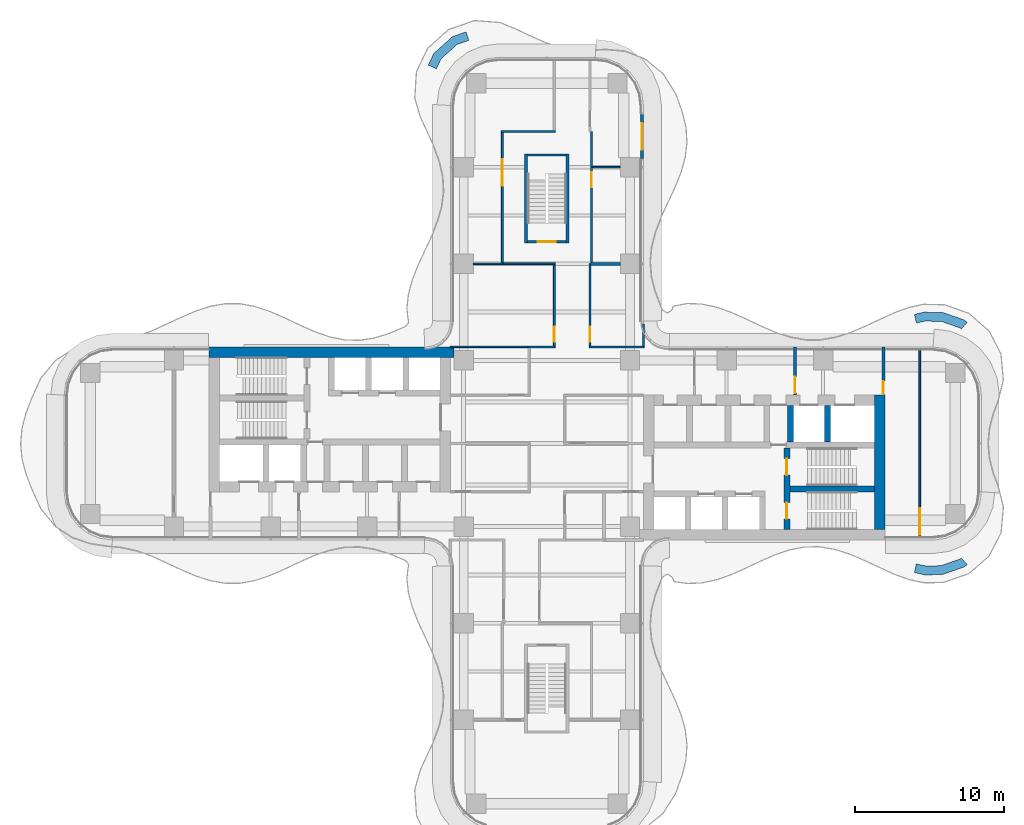
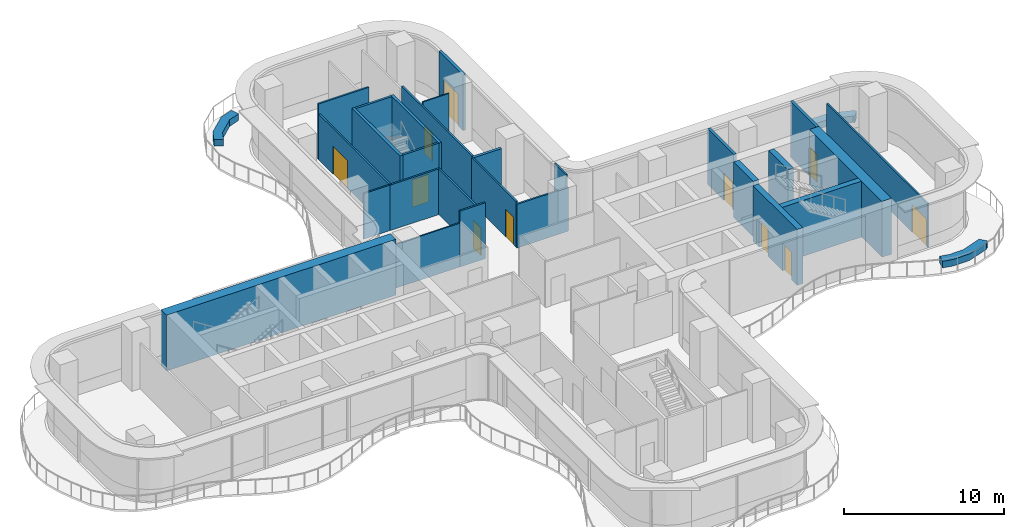
# One storey, part 17 of 20: 30 walls, 11 doors, 11 openings.
"""IFC4 building model written with IfcOpenShell, lengths in metres."""

from ifc_helpers import new_model, si_unit, direction, frame, frame_2d, origin, place, context, subcontext, project, spatial, polyline, rectangle, outline, extrude, source, transform, mapped, material, layer, layer_set, type_object, element, fill, save


model = new_model("IFC4")

# Units and contexts
model_context = context("Model", 3, precision=1e-05, world=origin(), true_north=direction((0.0, 1.0)))
body_context = subcontext(model_context, "Body", "Model", "MODEL_VIEW")
ifc_project = project(units=[si_unit("LENGTHUNIT", "METRE"), si_unit("AREAUNIT", "SQUARE_METRE"), si_unit("VOLUMEUNIT", "CUBIC_METRE"), si_unit("PLANEANGLEUNIT", "RADIAN"), si_unit("MASSUNIT", "GRAM", prefix="KILO")], contexts=[model_context])

# Site, building, storey
site_placement = place(None, origin())
site = spatial("IfcSite", under=ifc_project, at=site_placement, CompositionType="ELEMENT")
building_placement = place(site_placement, origin())
building = spatial("IfcBuilding", under=site, at=building_placement, Name="Trellis Farm Tower", CompositionType="ELEMENT")
storey_placement = place(building_placement, frame((0.0, 0.0, 133.5)))
storey = spatial("IfcBuildingStorey", under=building, at=storey_placement, Name="L28", CompositionType="ELEMENT", Elevation=133.5)

# Walls
ifc_material_1 = material(Name="Sandstone faced masonry planter", Category="masonry")
ifc_layer_1 = layer(ifc_material_1, 0.60009765625)
ifc_layer_set_1 = layer_set([ifc_layer_1], Name="PLANTER BED 600")
wall_type_1 = type_object("IfcWallType", Name="PLANTER BED 600", PredefinedType="USERDEFINED", material=ifc_layer_set_1)
placement = place(storey_placement, origin())
element("IfcWall", 1, at=placement, inside=storey, type_object=wall_type_1, Name="PLANTER bed", ObjectType="PLANTER", PredefinedType="USERDEFINED", context=body_context, shape_type="SweptSolid", body=[
    extrude(outline(polyline([(25.403564453125, 8.8408203125), (26.674072265625, 8.814697265625), (28.11181640625, 8.308837890625), (28.290771484375, 8.1533203125), (27.8974609375, 7.7001953125), (27.8046875, 7.781005859375), (26.565673828125, 8.216796875), (25.463623046875, 8.239501953125), (24.870849609375, 8.107177734375), (24.740234375, 8.69287109375), (25.403564453125, 8.8408203125)])), origin(), (0.0, 0.0, 1.0), 0.5),
])
element("IfcWall", 2, at=placement, inside=storey, type_object=wall_type_1, Name="PLANTER bed", ObjectType="PLANTER", PredefinedType="USERDEFINED", context=body_context, shape_type="SweptSolid", body=[
    extrude(outline(polyline([(26.62158203125, -8.824462890625), (25.443603515625, -8.84521484375), (24.7421875, -8.693115234375), (24.869384765625, -8.106689453125), (25.50244140625, -8.243896484375), (26.515380859375, -8.22607421875), (27.806640625, -7.779296875), (27.8974609375, -7.7001953125), (28.290771484375, -8.1533203125), (28.112548828125, -8.30810546875), (26.62158203125, -8.824462890625)])), origin(), (0.0, 0.0, 1.0), 0.5),
])
element("IfcWall", 3, at=placement, inside=storey, type_object=wall_type_1, Name="PLANTER bed", ObjectType="PLANTER", PredefinedType="USERDEFINED", context=body_context, shape_type="SweptSolid", body=[
    extrude(outline(polyline([(-6.360107421875, 27.3916015625), (-5.445556640625, 27.708984375), (-5.248779296875, 27.14208984375), (-6.048095703125, 26.86474609375), (-7.127197265625, 25.8876953125), (-7.439453125, 25.222900390625), (-7.982421875, 25.47802734375), (-7.618896484375, 26.251708984375), (-6.360107421875, 27.3916015625)])), origin(), (0.0, 0.0, 1.0), 0.5),
])
ifc_material_2 = material(Name="Concrete C70/85", Category="concrete")
ifc_layer_2 = layer(ifc_material_2, 0.699951171875)
ifc_layer_set_2 = layer_set([ifc_layer_2], Name="CORE OUTER WALL 700 CONCRETE C70/85")
wall_type_2 = type_object("IfcWallType", Name="CORE OUTER WALL 700 CONCRETE C70/85", PredefinedType="SHEAR", material=ifc_layer_set_2)
shared_shape_1 = source(origin(), body_context, "Body", "SweptSolid", [
    extrude(rectangle(XDim=9.050048828125, YDim=0.699951171875, at=frame_2d((4.52490234375, 0.0))), origin(), (0.0, 0.0, 1.0), 4.25),
])
wall_4_placement = place(storey_placement, frame((22.39990234375, -5.800048828125, 0.0), z_axis=(0.0, 0.0, 1.0), x_axis=(0.0, 1.0, 0.0)))
element("IfcWall", 4, at=wall_4_placement, inside=storey, type_object=wall_type_2, Name="Core wall", PredefinedType="SHEAR", context=body_context, shape_type="MappedRepresentation", body=[
    mapped(shared_shape_1, transform((0.0, 0.0, 0.0))),
])
ifc_layer_3 = layer(ifc_material_2, 0.39990234375)
ifc_layer_set_3 = layer_set([ifc_layer_3], Name="CORE INNER WALL 400 CONCRETE C70/85")
wall_type_3 = type_object("IfcWallType", Name="CORE INNER WALL 400 CONCRETE C70/85", PredefinedType="SHEAR", material=ifc_layer_set_3)
shared_shape_2 = source(origin(), body_context, "Body", "SweptSolid", [
    extrude(rectangle(XDim=2.449951171875, YDim=0.39990234375, at=frame_2d((1.22509765625, 0.0))), origin(), (0.0, 0.0, 1.0), 4.25),
])
for number, where, z_axis, x_axis, name in (
    (5, (16.39990234375, 0.10009765625, 0.0), (0.0, 0.0, 1.0), (0.0, 1.0, 0.0), "Core wall"),
    (6, (18.89990234375, 0.10009765625, 0.0), (0.0, 0.0, 1.0), (0.0, 1.0, 0.0), "Core wall"),
):
    element("IfcWall", number, at=place(storey_placement, frame(where, z_axis=z_axis, x_axis=x_axis)), inside=storey, type_object=wall_type_3, Name=name, PredefinedType="SHEAR", context=body_context, shape_type="MappedRepresentation", body=[
        mapped(shared_shape_2, transform((0.0, 0.0, 0.0))),
    ])

# Wall, opening, door
ifc_material_3 = material(Name="Masonry blockwork", Category="masonry")
ifc_layer_4 = layer(ifc_material_3, 0.199951171875)
ifc_layer_set_4 = layer_set([ifc_layer_4], Name="FIRE LOBBY PARTITION 200 BLOCKWORK")
wall_type_4 = type_object("IfcWallType", Name="FIRE LOBBY PARTITION 200 BLOCKWORK", PredefinedType="PARTITIONING", material=ifc_layer_set_4)
shared_shape_3 = source(origin(), body_context, "Body", "SweptSolid", [
    extrude(rectangle(XDim=3.25, YDim=0.199951171875, at=frame_2d((1.625, 0.0))), origin(), (0.0, 0.0, 1.0), 4.25),
])
wall_5_placement = place(storey_placement, frame((16.699951171875, 3.25, 0.0), z_axis=(0.0, 0.0, 1.0), x_axis=(0.0, 1.0, 0.0)))
wall_5 = element("IfcWall", 7, at=wall_5_placement, inside=storey, type_object=wall_type_4, Name="Fire-fighting lobby partition", PredefinedType="PARTITIONING", context=body_context, shape_type="MappedRepresentation", body=[
    mapped(shared_shape_3, transform((0.0, 0.0, 0.0))),
])
shared_shape_4 = source(origin(), body_context, "Body", "SweptSolid", [
    extrude(rectangle(XDim=1.10009765625, YDim=2.10009765625, at=frame_2d((0.550048828125, 1.050048828125))), frame((0.0, 0.110107421875, 0.0), z_axis=(0.0, -1.0, 0.0), x_axis=(1.0, 0.0, 0.0)), (0.0, 0.0, 1.0), 0.22021484375),
])
opening_1_placement = place(wall_5_placement, frame((0.14990234375, 0.0, 0.0)))
opening_1 = element("IfcOpeningElement", 8, at=opening_1_placement, cuts=wall_5, Name="Opening DC7", PredefinedType="OPENING", context=body_context, shape_type="MappedRepresentation", body=[
    mapped(shared_shape_4, transform((0.0, 0.0, 0.0))),
])
ifc_material_4 = material(Name="Steel", Category="steel")
door_type_1 = type_object("IfcDoorType", Name="CORE FIRE DOOR 1100 X 2100", OperationType="NOTDEFINED", PredefinedType="DOOR", material=ifc_material_4)
shared_shape_5 = source(origin(), body_context, "Body", "SweptSolid", [
    extrude(rectangle(XDim=1.10009765625, YDim=2.10009765625, at=frame_2d((0.550048828125, 1.050048828125))), frame((0.0, 0.02490234375, 0.0), z_axis=(0.0, -1.0, 0.0), x_axis=(1.0, 0.0, 0.0)), (0.0, 0.0, 1.0), 0.050048828125),
])
door_1_placement = place(opening_1_placement, origin())
door_1 = element("IfcDoor", 9, at=door_1_placement, inside=storey, type_object=door_type_1, Name="Core door", OperationType="SINGLE_SWING_RIGHT", OverallHeight=2.10009765625, OverallWidth=1.10009765625, PredefinedType="DOOR", context=body_context, shape_type="MappedRepresentation", body=[
    mapped(shared_shape_5, transform((0.0, 0.0, 0.0))),
])
fill(opening_1, door_1)

wall_6_placement = place(storey_placement, frame((22.64990234375, 3.25, 0.0), z_axis=(0.0, 0.0, 1.0), x_axis=(0.0, 1.0, 0.0)))
wall_6 = element("IfcWall", 10, at=wall_6_placement, inside=storey, type_object=wall_type_4, Name="Fire-fighting lobby partition", PredefinedType="PARTITIONING", context=body_context, shape_type="MappedRepresentation", body=[
    mapped(shared_shape_3, transform((0.0, 0.0, 0.0))),
])
shared_shape_6 = source(origin(), body_context, "Body", "SweptSolid", [
    extrude(rectangle(XDim=0.89990234375, YDim=2.10009765625, at=frame_2d((0.449951171875, 1.050048828125))), frame((0.0, 0.110107421875, 0.0), z_axis=(0.0, -1.0, 0.0), x_axis=(1.0, 0.0, 0.0)), (0.0, 0.0, 1.0), 0.22021484375),
])
opening_2_placement = place(wall_6_placement, frame((0.050048828125, 0.0, 0.0)))
opening_2 = element("IfcOpeningElement", 11, at=opening_2_placement, cuts=wall_6, Name="Opening DC8", PredefinedType="OPENING", context=body_context, shape_type="MappedRepresentation", body=[
    mapped(shared_shape_6, transform((0.0, 0.0, 0.0))),
])
door_type_2 = type_object("IfcDoorType", Name="CORE FIRE DOOR 900 X 2100", OperationType="NOTDEFINED", PredefinedType="DOOR", material=ifc_material_4)
shared_shape_7 = source(origin(), body_context, "Body", "SweptSolid", [
    extrude(rectangle(XDim=0.89990234375, YDim=2.10009765625, at=frame_2d((0.449951171875, 1.050048828125))), frame((0.0, 0.02490234375, 0.0), z_axis=(0.0, -1.0, 0.0), x_axis=(1.0, 0.0, 0.0)), (0.0, 0.0, 1.0), 0.050048828125),
])
door_2_placement = place(opening_2_placement, origin())
door_2 = element("IfcDoor", 12, at=door_2_placement, inside=storey, type_object=door_type_2, Name="Core door", OperationType="SINGLE_SWING_RIGHT", OverallHeight=2.10009765625, OverallWidth=0.89990234375, PredefinedType="DOOR", context=body_context, shape_type="MappedRepresentation", body=[
    mapped(shared_shape_7, transform((0.0, 0.0, 0.0))),
])
fill(opening_2, door_2)

# Wall, openings, doors
shared_shape_8 = source(origin(), body_context, "Body", "SweptSolid", [
    extrude(rectangle(XDim=5.5, YDim=0.39990234375, at=frame_2d((2.75, 0.0))), origin(), (0.0, 0.0, 1.0), 4.25),
])
wall_7_placement = place(storey_placement, frame((16.14990234375, -5.800048828125, 0.0), z_axis=(0.0, 0.0, 1.0), x_axis=(0.0, 1.0, 0.0)))
wall_7 = element("IfcWall", 13, at=wall_7_placement, inside=storey, type_object=wall_type_3, Name="Core wall", PredefinedType="SHEAR", context=body_context, shape_type="MappedRepresentation", body=[
    mapped(shared_shape_8, transform((0.0, 0.0, 0.0))),
])
shared_shape_9 = source(origin(), body_context, "Body", "SweptSolid", [
    extrude(rectangle(XDim=1.10009765625, YDim=2.10009765625, at=frame_2d((0.550048828125, 1.050048828125))), frame((0.0, 0.2099609375, 0.0), z_axis=(0.0, -1.0, 0.0), x_axis=(1.0, 0.0, 0.0)), (0.0, 0.0, 1.0), 0.419921875),
])
opening_3_placement = place(wall_7_placement, frame((0.72509765625, 0.0, 0.0)))
opening_3 = element("IfcOpeningElement", 14, at=opening_3_placement, cuts=wall_7, Name="Opening DC2", PredefinedType="OPENING", context=body_context, shape_type="MappedRepresentation", body=[
    mapped(shared_shape_9, transform((0.0, 0.0, 0.0))),
])
opening_4_placement = place(wall_7_placement, frame((3.675048828125, 0.0, 0.0)))
opening_4 = element("IfcOpeningElement", 15, at=opening_4_placement, cuts=wall_7, Name="Opening DC3", PredefinedType="OPENING", context=body_context, shape_type="MappedRepresentation", body=[
    mapped(shared_shape_9, transform((0.0, 0.0, 0.0))),
])
door_3_placement = place(opening_3_placement, origin())
door_3 = element("IfcDoor", 16, at=door_3_placement, inside=storey, type_object=door_type_1, Name="Core door", OperationType="SINGLE_SWING_RIGHT", OverallHeight=2.10009765625, OverallWidth=1.10009765625, PredefinedType="DOOR", context=body_context, shape_type="MappedRepresentation", body=[
    mapped(shared_shape_5, transform((0.0, 0.0, 0.0))),
])
fill(opening_3, door_3)
door_4_placement = place(opening_4_placement, origin())
door_4 = element("IfcDoor", 17, at=door_4_placement, inside=storey, type_object=door_type_1, Name="Core door", OperationType="SINGLE_SWING_LEFT", OverallHeight=2.10009765625, OverallWidth=1.10009765625, PredefinedType="DOOR", context=body_context, shape_type="MappedRepresentation", body=[
    mapped(shared_shape_5, transform((0.0, 0.0, 0.0))),
])
fill(opening_4, door_4)

# Walls
shared_shape_10 = source(origin(), body_context, "Body", "SweptSolid", [
    extrude(rectangle(XDim=5.699951171875, YDim=0.39990234375, at=frame_2d((2.85009765625, 0.0))), origin(), (0.0, 0.0, 1.0), 4.25),
])
wall_8_placement = place(storey_placement, frame((16.35009765625, -3.050048828125, 0.0), z_axis=(0.0, 0.0, 1.0), x_axis=(1.0, 0.0, 0.0)))
element("IfcWall", 18, at=wall_8_placement, inside=storey, type_object=wall_type_3, Name="Core wall", PredefinedType="SHEAR", context=body_context, shape_type="MappedRepresentation", body=[
    mapped(shared_shape_10, transform((0.0, 0.0, 0.0))),
])
shared_shape_11 = source(origin(), body_context, "Body", "SweptSolid", [
    extrude(rectangle(XDim=16.5, YDim=0.699951171875, at=frame_2d((8.25, 0.0))), origin(), (0.0, 0.0, 1.0), 4.25),
])
wall_9_placement = place(storey_placement, frame((-6.25, 6.14990234375, 0.0), z_axis=(0.0, 0.0, 1.0), x_axis=(-1.0, 0.0, 0.0)))
element("IfcWall", 19, at=wall_9_placement, inside=storey, type_object=wall_type_2, Name="Core wall", PredefinedType="SHEAR", context=body_context, shape_type="MappedRepresentation", body=[
    mapped(shared_shape_11, transform((0.0, 0.0, 0.0))),
])
ifc_layer_5 = layer(ifc_material_2, 0.199951171875)
ifc_layer_set_5 = layer_set([ifc_layer_5], Name="CORE STAIR ENCLOSURE WALL 200 CONCRETE C70/85")
wall_type_5 = type_object("IfcWallType", Name="CORE STAIR ENCLOSURE WALL 200 CONCRETE C70/85", PredefinedType="SHEAR", material=ifc_layer_set_5)
shared_shape_12 = source(origin(), body_context, "Body", "SweptSolid", [
    extrude(rectangle(XDim=6.0, YDim=0.199951171875, at=frame_2d((3.0, 0.0))), origin(), (0.0, 0.0, 1.0), 4.25),
])
for number, where, z_axis, x_axis, name in (
    (20, (-1.39990234375, 13.5, 0.0), (0.0, 0.0, 1.0), (0.0, 1.0, 0.0), "Stair enclosure wall"),
    (21, (1.39990234375, 13.5, 0.0), (0.0, 0.0, 1.0), (0.0, 1.0, 0.0), "Stair enclosure wall"),
):
    element("IfcWall", number, at=place(storey_placement, frame(where, z_axis=z_axis, x_axis=x_axis)), inside=storey, type_object=wall_type_5, Name=name, PredefinedType="SHEAR", context=body_context, shape_type="MappedRepresentation", body=[
        mapped(shared_shape_12, transform((0.0, 0.0, 0.0))),
    ])

# Wall, opening, door
ifc_layer_6 = layer(ifc_material_2, 0.14990234375)
ifc_layer_set_6 = layer_set([ifc_layer_6], Name="CORE STAIR ENCLOSURE WALL 150 CONCRETE C70/85")
wall_type_6 = type_object("IfcWallType", Name="CORE STAIR ENCLOSURE WALL 150 CONCRETE C70/85", PredefinedType="SHEAR", material=ifc_layer_set_6)
shared_shape_13 = source(origin(), body_context, "Body", "SweptSolid", [
    extrude(rectangle(XDim=2.60009765625, YDim=0.14990234375, at=frame_2d((1.300048828125, 0.0))), origin(), (0.0, 0.0, 1.0), 4.25),
])
wall_10_placement = place(storey_placement, frame((-1.300048828125, 13.574951171875, 0.0), z_axis=(0.0, 0.0, 1.0), x_axis=(1.0, 0.0, 0.0)))
wall_10 = element("IfcWall", 22, at=wall_10_placement, inside=storey, type_object=wall_type_6, Name="Stair enclosure wall", PredefinedType="SHEAR", context=body_context, shape_type="MappedRepresentation", body=[
    mapped(shared_shape_13, transform((0.0, 0.0, 0.0))),
])
shared_shape_14 = source(origin(), body_context, "Body", "SweptSolid", [
    extrude(rectangle(XDim=1.199951171875, YDim=2.10009765625, at=frame_2d((0.60009765625, 1.050048828125))), frame((0.0, 0.0849609375, 0.0), z_axis=(0.0, -1.0, 0.0), x_axis=(1.0, 0.0, 0.0)), (0.0, 0.0, 1.0), 0.169921875),
])
opening_5_placement = place(wall_10_placement, frame((0.699951171875, 0.0, 0.0)))
opening_5 = element("IfcOpeningElement", 23, at=opening_5_placement, cuts=wall_10, Name="Opening DC173", PredefinedType="OPENING", context=body_context, shape_type="MappedRepresentation", body=[
    mapped(shared_shape_14, transform((0.0, 0.0, 0.0))),
])
door_type_3 = type_object("IfcDoorType", Name="CORE FIRE DOOR 1200 X 2100", OperationType="NOTDEFINED", PredefinedType="DOOR", material=ifc_material_4)
shared_shape_15 = source(origin(), body_context, "Body", "SweptSolid", [
    extrude(rectangle(XDim=1.199951171875, YDim=2.10009765625, at=frame_2d((0.60009765625, 1.050048828125))), frame((0.0, 0.02490234375, 0.0), z_axis=(0.0, -1.0, 0.0), x_axis=(1.0, 0.0, 0.0)), (0.0, 0.0, 1.0), 0.050048828125),
])
door_5_placement = place(opening_5_placement, origin())
door_5 = element("IfcDoor", 24, at=door_5_placement, inside=storey, type_object=door_type_3, Name="Core door", OperationType="SINGLE_SWING_LEFT", OverallHeight=2.10009765625, OverallWidth=1.199951171875, PredefinedType="DOOR", context=body_context, shape_type="MappedRepresentation", body=[
    mapped(shared_shape_15, transform((0.0, 0.0, 0.0))),
])
fill(opening_5, door_5)

# Wall
wall_11_placement = place(storey_placement, frame((-1.300048828125, 19.425048828125, 0.0), z_axis=(0.0, 0.0, 1.0), x_axis=(1.0, 0.0, 0.0)))
element("IfcWall", 25, at=wall_11_placement, inside=storey, type_object=wall_type_6, Name="Stair enclosure wall", PredefinedType="SHEAR", context=body_context, shape_type="MappedRepresentation", body=[
    mapped(shared_shape_13, transform((0.0, 0.0, 0.0))),
])

# Wall, opening, door
ifc_material_5 = material(Name="Sandstone faced insulated wall", Category="masonry")
ifc_layer_7 = layer(ifc_material_5, 0.199951171875)
ifc_layer_set_7 = layer_set([ifc_layer_7], Name="EXTERNAL INFILL WALL 200")
wall_type_7 = type_object("IfcWallType", Name="EXTERNAL INFILL WALL 200", PredefinedType="SOLIDWALL", material=ifc_layer_set_7)
shared_shape_16 = source(origin(), body_context, "Body", "SweptSolid", [
    extrude(rectangle(XDim=3.0, YDim=0.199951171875, at=frame_2d((1.5, 0.0))), origin(), (0.0, 0.0, 1.0), 4.25),
])
wall_12_placement = place(storey_placement, frame((6.39990234375, 19.175048828125, 0.0), z_axis=(0.0, 0.0, 1.0), x_axis=(0.0, 1.0, 0.0)))
wall_12 = element("IfcWall", 26, at=wall_12_placement, inside=storey, type_object=wall_type_7, Name="EW1 01", PredefinedType="SOLIDWALL", context=body_context, shape_type="MappedRepresentation", body=[
    mapped(shared_shape_16, transform((0.0, 0.0, 0.0))),
])
shared_shape_17 = source(origin(), body_context, "Body", "SweptSolid", [
    extrude(rectangle(XDim=1.800048828125, YDim=2.39990234375, at=frame_2d((0.89990234375, 1.199951171875))), frame((0.0, 0.110107421875, 0.0), z_axis=(0.0, -1.0, 0.0), x_axis=(1.0, 0.0, 0.0)), (0.0, 0.0, 1.0), 0.22021484375),
])
opening_6_placement = place(wall_12_placement, frame((0.60009765625, 0.0, 0.0)))
opening_6 = element("IfcOpeningElement", 27, at=opening_6_placement, cuts=wall_12, Name="Opening ED1", PredefinedType="OPENING", context=body_context, shape_type="MappedRepresentation", body=[
    mapped(shared_shape_17, transform((0.0, 0.0, 0.0))),
])
ifc_material_6 = material(Name="Aluminium framed glazed door", Category="aluminium")
door_type_4 = type_object("IfcDoorType", Name="BALCONY DOOR 1800x2400", OperationType="DOUBLE_DOOR_SINGLE_SWING", PredefinedType="DOOR", material=ifc_material_6)
shared_shape_18 = source(origin(), body_context, "Body", "SweptSolid", [
    extrude(rectangle(XDim=1.800048828125, YDim=2.39990234375, at=frame_2d((0.89990234375, 1.199951171875))), frame((0.0, 0.02490234375, 0.0), z_axis=(0.0, -1.0, 0.0), x_axis=(1.0, 0.0, 0.0)), (0.0, 0.0, 1.0), 0.050048828125),
])
door_6_placement = place(opening_6_placement, origin())
door_6 = element("IfcDoor", 28, at=door_6_placement, inside=storey, type_object=door_type_4, Name="Balcony door", OperationType="DOUBLE_DOOR_SINGLE_SWING", OverallHeight=2.39990234375, OverallWidth=1.800048828125, PredefinedType="DOOR", context=body_context, shape_type="MappedRepresentation", body=[
    mapped(shared_shape_18, transform((0.0, 0.0, 0.0))),
])
fill(opening_6, door_6)

ifc_material_7 = material(Name="Plasterboard on steel studs, mineral wool", Category="steel")
ifc_layer_8 = layer(ifc_material_7, 0.125)
ifc_layer_set_8 = layer_set([ifc_layer_8], Name="PARTITION 125 STUD EI 60")
wall_type_8 = type_object("IfcWallType", Name="PARTITION 125 STUD EI 60", PredefinedType="PARTITIONING", material=ifc_layer_set_8)
shared_shape_19 = source(origin(), body_context, "Body", "SweptSolid", [
    extrude(rectangle(XDim=5.47509765625, YDim=0.125, at=frame_2d((2.737548828125, 0.0))), origin(), (0.0, 0.0, 1.0), 3.4677734375),
])
wall_13_placement = place(storey_placement, frame((0.5, 12.03759765625, 0.0), z_axis=(0.0, 0.0, 1.0), x_axis=(0.0, -1.0, 0.0)))
wall_13 = element("IfcWall", 29, at=wall_13_placement, inside=storey, type_object=wall_type_8, Name="Partition PW1", PredefinedType="PARTITIONING", context=body_context, shape_type="MappedRepresentation", body=[
    mapped(shared_shape_19, transform((0.0, 0.0, 0.0))),
])
shared_shape_20 = source(origin(), body_context, "Body", "SweptSolid", [
    extrude(rectangle(XDim=1.0, YDim=2.10009765625, at=frame_2d((0.5, 1.050048828125))), frame((0.0, 0.072509765625, 0.0), z_axis=(0.0, -1.0, 0.0), x_axis=(1.0, 0.0, 0.0)), (0.0, 0.0, 1.0), 0.14501953125),
])
opening_7_placement = place(wall_13_placement, frame((4.1875, 0.0, 0.0)))
opening_7 = element("IfcOpeningElement", 30, at=opening_7_placement, cuts=wall_13, Name="Opening D106", PredefinedType="OPENING", context=body_context, shape_type="MappedRepresentation", body=[
    mapped(shared_shape_20, transform((0.0, 0.0, 0.0))),
])
ifc_material_8 = material(Name="Fire-rated timber door leaf in a hollow metal frame", Category="wood")
door_type_5 = type_object("IfcDoorType", Name="DOOR 1000x2100 FD30S", OperationType="NOTDEFINED", PredefinedType="DOOR", material=ifc_material_8)
shared_shape_21 = source(origin(), body_context, "Body", "SweptSolid", [
    extrude(rectangle(XDim=1.0, YDim=2.10009765625, at=frame_2d((0.5, 1.050048828125))), frame((0.0, 0.02490234375, 0.0), z_axis=(0.0, -1.0, 0.0), x_axis=(1.0, 0.0, 0.0)), (0.0, 0.0, 1.0), 0.050048828125),
])
door_7_placement = place(opening_7_placement, origin())
door_7 = element("IfcDoor", 31, at=door_7_placement, inside=storey, type_object=door_type_5, Name="Door D106", OperationType="SINGLE_SWING_RIGHT", OverallHeight=2.10009765625, OverallWidth=1.0, PredefinedType="DOOR", context=body_context, shape_type="MappedRepresentation", body=[
    mapped(shared_shape_21, transform((0.0, 0.0, 0.0))),
])
fill(opening_7, door_7)

# Walls
shared_shape_22 = source(origin(), body_context, "Body", "SweptSolid", [
    extrude(rectangle(XDim=1.468994140625, YDim=0.125, at=frame_2d((0.734375, 0.0))), origin(), (0.0, 0.0, 1.0), 4.25),
])
wall_14_placement = place(storey_placement, frame((6.5, 6.5625, 0.0), z_axis=(0.0, 0.0, 1.0), x_axis=(0.0, 1.0, 0.0)))
element("IfcWall", 32, at=wall_14_placement, inside=storey, type_object=wall_type_8, Name="Partition PW1", PredefinedType="PARTITIONING", context=body_context, shape_type="MappedRepresentation", body=[
    mapped(shared_shape_22, transform((0.0, 0.0, 0.0))),
])
ifc_material_9 = material(Name="Plasterboard on steel studs", Category="steel")
ifc_layer_9 = layer(ifc_material_9, 0.10009765625)
ifc_layer_set_9 = layer_set([ifc_layer_9], Name="PARTITION 100 STUD EI 30")
wall_type_9 = type_object("IfcWallType", Name="PARTITION 100 STUD EI 30", PredefinedType="PARTITIONING", material=ifc_layer_set_9)
shared_shape_23 = source(origin(), body_context, "Body", "SweptSolid", [
    extrude(rectangle(XDim=5.362548828125, YDim=0.10009765625, at=frame_2d((2.68115234375, 0.0))), origin(), (0.0, 0.0, 1.0), 3.330078125),
])
wall_15_placement = place(storey_placement, frame((-6.5, 6.5, 0.0), z_axis=(0.0, 0.0, 1.0), x_axis=(1.0, 0.0, 0.0)))
element("IfcWall", 33, at=wall_15_placement, inside=storey, type_object=wall_type_9, Name="Partition PW2", PredefinedType="PARTITIONING", context=body_context, shape_type="MappedRepresentation", body=[
    mapped(shared_shape_23, transform((0.0, 0.0, 0.0))),
])

# Wall, opening, door
shared_shape_24 = source(origin(), body_context, "Body", "SweptSolid", [
    extrude(rectangle(XDim=8.78759765625, YDim=0.125, at=frame_2d((4.393798828125, 0.0))), origin(), (0.0, 0.0, 1.0), 3.4677734375),
])
wall_16_placement = place(storey_placement, frame((-3.0, 12.14990234375, 0.0), z_axis=(0.0, 0.0, 1.0), x_axis=(0.0, 1.0, 0.0)))
wall_16 = element("IfcWall", 34, at=wall_16_placement, inside=storey, type_object=wall_type_8, Name="Partition PW1", PredefinedType="PARTITIONING", context=body_context, shape_type="MappedRepresentation", body=[
    mapped(shared_shape_24, transform((0.0, 0.0, 0.0))),
])
shared_shape_25 = source(origin(), body_context, "Body", "SweptSolid", [
    extrude(rectangle(XDim=1.800048828125, YDim=2.10009765625, at=frame_2d((0.89990234375, 1.050048828125))), frame((0.0, 0.072509765625, 0.0), z_axis=(0.0, -1.0, 0.0), x_axis=(1.0, 0.0, 0.0)), (0.0, 0.0, 1.0), 0.14501953125),
])
opening_8_placement = place(wall_16_placement, frame((5.199951171875, 0.0, 0.0)))
opening_8 = element("IfcOpeningElement", 35, at=opening_8_placement, cuts=wall_16, Name="Opening D203", PredefinedType="OPENING", context=body_context, shape_type="MappedRepresentation", body=[
    mapped(shared_shape_25, transform((0.0, 0.0, 0.0))),
])
door_type_6 = type_object("IfcDoorType", Name="DOOR PAIR 1800x2100 FD30S", OperationType="NOTDEFINED", PredefinedType="DOOR", material=ifc_material_8)
shared_shape_26 = source(origin(), body_context, "Body", "SweptSolid", [
    extrude(rectangle(XDim=1.800048828125, YDim=2.10009765625, at=frame_2d((0.89990234375, 1.050048828125))), frame((0.0, 0.02490234375, 0.0), z_axis=(0.0, -1.0, 0.0), x_axis=(1.0, 0.0, 0.0)), (0.0, 0.0, 1.0), 0.050048828125),
])
door_8_placement = place(opening_8_placement, origin())
door_8 = element("IfcDoor", 36, at=door_8_placement, inside=storey, type_object=door_type_6, Name="Door D203", OperationType="DOUBLE_DOOR_SINGLE_SWING", OverallHeight=2.10009765625, OverallWidth=1.800048828125, PredefinedType="DOOR", context=body_context, shape_type="MappedRepresentation", body=[
    mapped(shared_shape_26, transform((0.0, 0.0, 0.0))),
])
fill(opening_8, door_8)

shared_shape_27 = source(origin(), body_context, "Body", "SweptSolid", [
    extrude(rectangle(XDim=5.53759765625, YDim=0.125, at=frame_2d((2.768798828125, 0.0))), origin(), (0.0, 0.0, 1.0), 3.4677734375),
])
wall_17_placement = place(storey_placement, frame((2.89990234375, 12.10009765625, 0.0), z_axis=(0.0, 0.0, 1.0), x_axis=(0.0, -1.0, 0.0)))
wall_17 = element("IfcWall", 37, at=wall_17_placement, inside=storey, type_object=wall_type_8, Name="Partition PW1", PredefinedType="PARTITIONING", context=body_context, shape_type="MappedRepresentation", body=[
    mapped(shared_shape_27, transform((0.0, 0.0, 0.0))),
])
opening_9_placement = place(wall_17_placement, frame((4.25, 0.0, 0.0)))
opening_9 = element("IfcOpeningElement", 38, at=opening_9_placement, cuts=wall_17, Name="Opening D302", PredefinedType="OPENING", context=body_context, shape_type="MappedRepresentation", body=[
    mapped(shared_shape_20, transform((0.0, 0.0, 0.0))),
])
door_type_7 = type_object("IfcDoorType", Name="DOOR 1000x2100 FD60", OperationType="NOTDEFINED", PredefinedType="DOOR", material=ifc_material_8)
door_9_placement = place(opening_9_placement, origin())
door_9 = element("IfcDoor", 39, at=door_9_placement, inside=storey, type_object=door_type_7, Name="Door D302", OperationType="SINGLE_SWING_RIGHT", OverallHeight=2.10009765625, OverallWidth=1.0, PredefinedType="DOOR", context=body_context, shape_type="MappedRepresentation", body=[
    mapped(shared_shape_21, transform((0.0, 0.0, 0.0))),
])
fill(opening_9, door_9)

# Walls
shared_shape_28 = source(origin(), body_context, "Body", "SweptSolid", [
    extrude(rectangle(XDim=1.824951171875, YDim=0.125, at=frame_2d((0.91259765625, 0.0))), origin(), (0.0, 0.0, 1.0), 4.25),
])
wall_18_placement = place(storey_placement, frame((-1.262451171875, 6.5, 0.0), z_axis=(0.0, 0.0, 1.0), x_axis=(1.0, 0.0, 0.0)))
element("IfcWall", 40, at=wall_18_placement, inside=storey, type_object=wall_type_8, Name="Partition PW1", PredefinedType="PARTITIONING", context=body_context, shape_type="MappedRepresentation", body=[
    mapped(shared_shape_28, transform((0.0, 0.0, 0.0))),
])
shared_shape_29 = source(origin(), body_context, "Body", "SweptSolid", [
    extrude(rectangle(XDim=3.72509765625, YDim=0.125, at=frame_2d((1.862548828125, 0.0))), origin(), (0.0, 0.0, 1.0), 3.330078125),
])
wall_19_placement = place(storey_placement, frame((2.83740234375, 6.5, 0.0), z_axis=(0.0, 0.0, 1.0), x_axis=(1.0, 0.0, 0.0)))
element("IfcWall", 41, at=wall_19_placement, inside=storey, type_object=wall_type_8, Name="Partition PW1", PredefinedType="PARTITIONING", context=body_context, shape_type="MappedRepresentation", body=[
    mapped(shared_shape_29, transform((0.0, 0.0, 0.0))),
])
shared_shape_30 = source(origin(), body_context, "Body", "SweptSolid", [
    extrude(rectangle(XDim=3.625, YDim=0.125, at=frame_2d((1.8125, 0.0))), origin(), (0.0, 0.0, 1.0), 3.4677734375),
])
wall_20_placement = place(storey_placement, frame((0.5625, 12.10009765625, 0.0), z_axis=(0.0, 0.0, 1.0), x_axis=(-1.0, 0.0, 0.0)))
element("IfcWall", 42, at=wall_20_placement, inside=storey, type_object=wall_type_8, Name="Partition PW1", PredefinedType="PARTITIONING", context=body_context, shape_type="MappedRepresentation", body=[
    mapped(shared_shape_30, transform((0.0, 0.0, 0.0))),
])

# Wall, opening, door
shared_shape_31 = source(origin(), body_context, "Body", "SweptSolid", [
    extrude(rectangle(XDim=12.60009765625, YDim=0.125, at=frame_2d((6.300048828125, 0.0))), origin(), (0.0, 0.0, 1.0), 3.330078125),
])
wall_21_placement = place(storey_placement, frame((25.10009765625, 6.300048828125, 0.0), z_axis=(0.0, 0.0, 1.0), x_axis=(0.0, -1.0, 0.0)))
wall_21 = element("IfcWall", 43, at=wall_21_placement, inside=storey, type_object=wall_type_8, Name="Partition PW1", PredefinedType="PARTITIONING", context=body_context, shape_type="MappedRepresentation", body=[
    mapped(shared_shape_31, transform((0.0, 0.0, 0.0))),
])
opening_10_placement = place(wall_21_placement, frame((10.64990234375, 0.0, 0.0)))
opening_10 = element("IfcOpeningElement", 44, at=opening_10_placement, cuts=wall_21, Name="Opening D202", PredefinedType="OPENING", context=body_context, shape_type="MappedRepresentation", body=[
    mapped(shared_shape_25, transform((0.0, 0.0, 0.0))),
])
door_10_placement = place(opening_10_placement, origin())
door_10 = element("IfcDoor", 45, at=door_10_placement, inside=storey, type_object=door_type_6, Name="Door D202", OperationType="DOUBLE_DOOR_SINGLE_SWING", OverallHeight=2.10009765625, OverallWidth=1.800048828125, PredefinedType="DOOR", context=body_context, shape_type="MappedRepresentation", body=[
    mapped(shared_shape_26, transform((0.0, 0.0, 0.0))),
])
fill(opening_10, door_10)

# Walls
ifc_material_10 = material(Name="Lightweight blockwork, plastered", Category="masonry")
ifc_layer_10 = layer(ifc_material_10, 0.199951171875)
ifc_layer_set_10 = layer_set([ifc_layer_10], Name="BLOCK WALL 200 EI 120")
wall_type_10 = type_object("IfcWallType", Name="BLOCK WALL 200 EI 120", PredefinedType="PARTITIONING", material=ifc_layer_set_10)
shared_shape_32 = source(origin(), body_context, "Body", "SweptSolid", [
    extrude(rectangle(XDim=2.012451171875, YDim=0.199951171875, at=frame_2d((1.00634765625, 0.0))), origin(), (0.0, 0.0, 1.0), 3.4677734375),
])
wall_22_placement = place(storey_placement, frame((2.9375, 12.10009765625, 0.0), z_axis=(0.0, 0.0, 1.0), x_axis=(1.0, 0.0, 0.0)))
element("IfcWall", 46, at=wall_22_placement, inside=storey, type_object=wall_type_10, Name="Partition PW3", PredefinedType="PARTITIONING", context=body_context, shape_type="MappedRepresentation", body=[
    mapped(shared_shape_32, transform((0.0, 0.0, 0.0))),
])
shared_shape_33 = source(origin(), body_context, "Body", "SweptSolid", [
    extrude(rectangle(XDim=2.012451171875, YDim=0.10009765625, at=frame_2d((1.00634765625, 0.0))), origin(), (0.0, 0.0, 1.0), 3.4677734375),
])
wall_23_placement = place(storey_placement, frame((-4.949951171875, 12.10009765625, 0.0), z_axis=(0.0, 0.0, 1.0), x_axis=(1.0, 0.0, 0.0)))
element("IfcWall", 47, at=wall_23_placement, inside=storey, type_object=wall_type_9, Name="Partition PW2", PredefinedType="PARTITIONING", context=body_context, shape_type="MappedRepresentation", body=[
    mapped(shared_shape_33, transform((0.0, 0.0, 0.0))),
])

# Wall, opening, door
shared_shape_34 = source(origin(), body_context, "Body", "SweptSolid", [
    extrude(rectangle(XDim=8.800048828125, YDim=0.125, at=frame_2d((4.39990234375, 0.0))), origin(), (0.0, 0.0, 1.0), 3.4677734375),
])
wall_24_placement = place(storey_placement, frame((3.0, 21.0, 0.0), z_axis=(0.0, 0.0, 1.0), x_axis=(0.0, -1.0, 0.0)))
wall_24 = element("IfcWall", 48, at=wall_24_placement, inside=storey, type_object=wall_type_8, Name="Partition PW1", PredefinedType="PARTITIONING", context=body_context, shape_type="MappedRepresentation", body=[
    mapped(shared_shape_34, transform((0.0, 0.0, 0.0))),
])
opening_11_placement = place(wall_24_placement, frame((2.75, 0.0, 0.0)))
opening_11 = element("IfcOpeningElement", 49, at=opening_11_placement, cuts=wall_24, Name="Opening D107", PredefinedType="OPENING", context=body_context, shape_type="MappedRepresentation", body=[
    mapped(shared_shape_20, transform((0.0, 0.0, 0.0))),
])
door_11_placement = place(opening_11_placement, origin())
door_11 = element("IfcDoor", 50, at=door_11_placement, inside=storey, type_object=door_type_5, Name="Door D107", OperationType="SINGLE_SWING_LEFT", OverallHeight=2.10009765625, OverallWidth=1.0, PredefinedType="DOOR", context=body_context, shape_type="MappedRepresentation", body=[
    mapped(shared_shape_21, transform((0.0, 0.0, 0.0))),
])
fill(opening_11, door_11)

# Walls
shared_shape_35 = source(origin(), body_context, "Body", "SweptSolid", [
    extrude(rectangle(XDim=1.887451171875, YDim=0.10009765625, at=frame_2d((0.94384765625, 0.0))), origin(), (0.0, 0.0, 1.0), 3.697021484375),
])
wall_25_placement = place(storey_placement, frame((3.0625, 18.60009765625, 0.0), z_axis=(0.0, 0.0, 1.0), x_axis=(1.0, 0.0, 0.0)))
element("IfcWall", 51, at=wall_25_placement, inside=storey, type_object=wall_type_9, Name="Partition PW2", PredefinedType="PARTITIONING", context=body_context, shape_type="MappedRepresentation", body=[
    mapped(shared_shape_35, transform((0.0, 0.0, 0.0))),
])
shared_shape_36 = source(origin(), body_context, "Body", "SweptSolid", [
    extrude(rectangle(XDim=3.625, YDim=0.125, at=frame_2d((1.8125, 0.0))), origin(), (0.0, 0.0, 1.0), 4.25),
])
wall_26_placement = place(storey_placement, frame((-3.0625, 21.0, 0.0), z_axis=(0.0, 0.0, 1.0), x_axis=(1.0, 0.0, 0.0)))
element("IfcWall", 52, at=wall_26_placement, inside=storey, type_object=wall_type_8, Name="Partition PW1", PredefinedType="PARTITIONING", context=body_context, shape_type="MappedRepresentation", body=[
    mapped(shared_shape_36, transform((0.0, 0.0, 0.0))),
])

save(model, "model.ifc")
